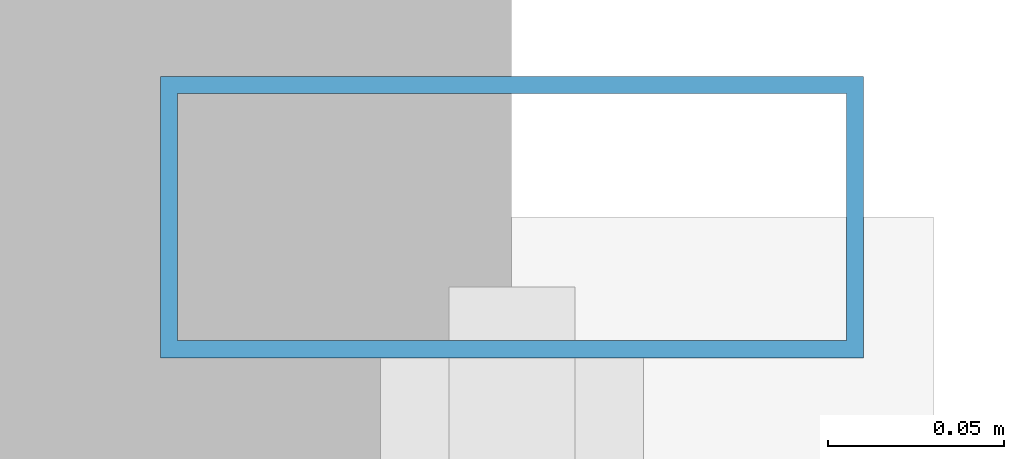
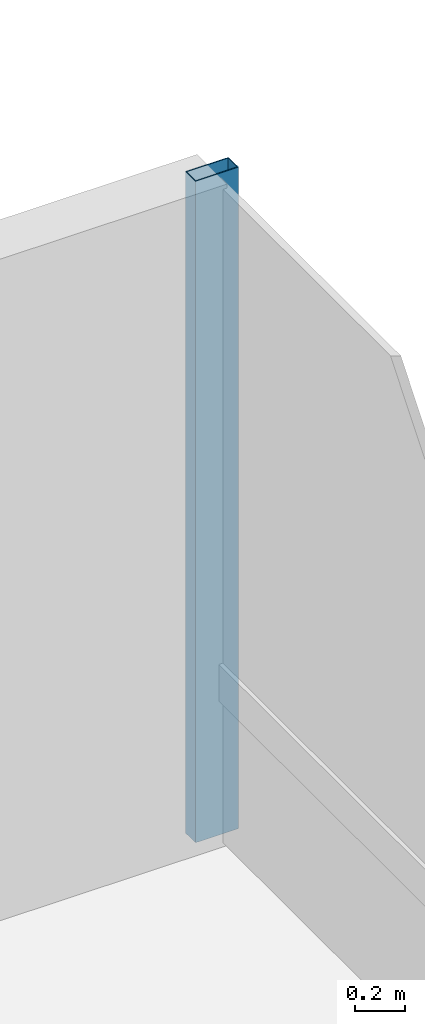
# One storey, part 26 of 35: 1 member, 1 element without a shape of its own.
"""IFC4 building model written with IfcOpenShell, lengths in metres."""

from ifc_helpers import new_model, si_unit, direction, frame, origin, origin_2d, place, context, subcontext, project, spatial, hollow_rectangle, extrude, material, layer, layer_set, material_profile, profile_set, type_object, element, aggregate, save


model = new_model("IFC4")

# Units and contexts
model_context = context("Model", 3, precision=1e-05, world=origin(), true_north=direction((0.0, 1.0)))
body_context = subcontext(model_context, "Body", "Model", "MODEL_VIEW")
ifc_project = project(units=[si_unit("LENGTHUNIT", "METRE"), si_unit("AREAUNIT", "SQUARE_METRE"), si_unit("VOLUMEUNIT", "CUBIC_METRE"), si_unit("PLANEANGLEUNIT", "RADIAN"), si_unit("MASSUNIT", "GRAM", prefix="KILO")], contexts=[model_context])

# Site, building, storey
site_placement = place(None, origin())
site = spatial("IfcSite", under=ifc_project, at=site_placement, CompositionType="ELEMENT")
building_placement = place(site_placement, origin())
building = spatial("IfcBuilding", under=site, at=building_placement, Name="Drelvath Grand Hotel", CompositionType="ELEMENT")
storey_placement = place(building_placement, frame((0.0, 0.0, 95.300048828125)))
storey = spatial("IfcBuildingStorey", under=building, at=storey_placement, Name="L23", CompositionType="ELEMENT", Elevation=95.300048828125)

# Curtain wall, member
ifc_material = material(Name="Champagne Bronze Anodised Aluminium Frame", Category="aluminium")
ifc_layer = layer(ifc_material, 0.199951171875)
ifc_layer_set = layer_set([ifc_layer], Name="Champagne Bronze Anodised Aluminium Frame")
curtain_wall_type = type_object("IfcCurtainWallType", Name="Stick Curtain Wall CW-03 Champagne Bronze Mid-Rise", PredefinedType="NOTDEFINED", material=ifc_layer_set)
curtain_wall_placement = place(storey_placement, origin())
curtain_wall = element("IfcCurtainWall", 1, at=curtain_wall_placement, inside=storey, type_object=curtain_wall_type, Name="L23 CW-03 Curtain Wall CW03-L23-EN3", PredefinedType="NOTDEFINED")
ifc_material_profile = material_profile(ifc_material, hollow_rectangle(XDim=0.080078125, YDim=0.199951171875, WallThickness=0.0048828125, at=origin_2d()), Name="HSS200X80X5")
ifc_profile_set = profile_set([ifc_material_profile], Name="Champagne Bronze Anodised Aluminium Frame")
member_type = type_object("IfcMemberType", Name="Curtain Wall Vertical Mullion CW-03 HSS200X80X5", PredefinedType="MULLION", material=ifc_profile_set)
member_placement = place(storey_placement, frame((22.080078125, 49.5, 0.0), z_axis=(0.0, 0.0, 1.0), x_axis=(0.0, 1.0, 0.0)))
member = element("IfcMember", 2, at=member_placement, type_object=member_type, Name="CW03-L23-EN3 Mullion 1", PredefinedType="MULLION", context=body_context, shape_type="SweptSolid", body=[
    extrude(hollow_rectangle(XDim=0.080078125, YDim=0.199951171875, WallThickness=0.0048828125, at=origin_2d()), origin(), (0.0, 0.0, 1.0), 3.239990234375),
])
aggregate(curtain_wall, [member])

save(model, "model.ifc")
